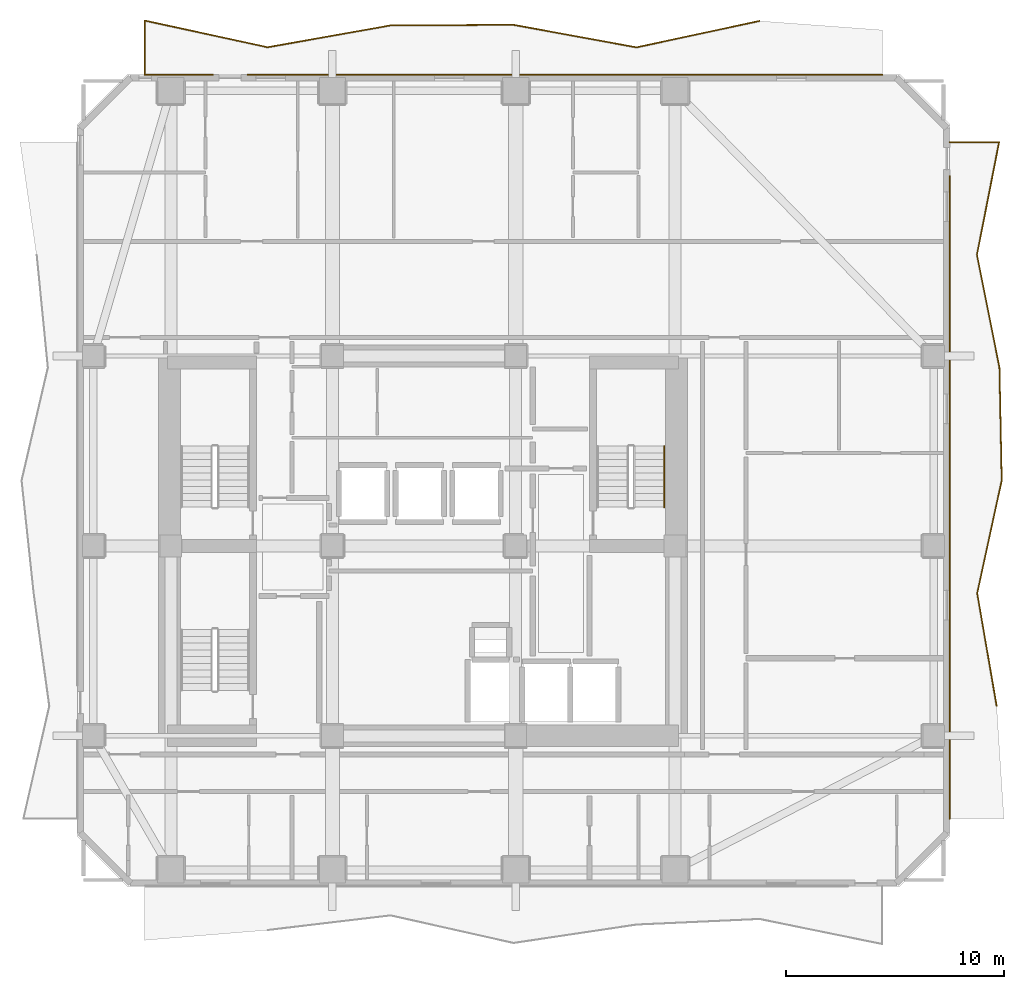
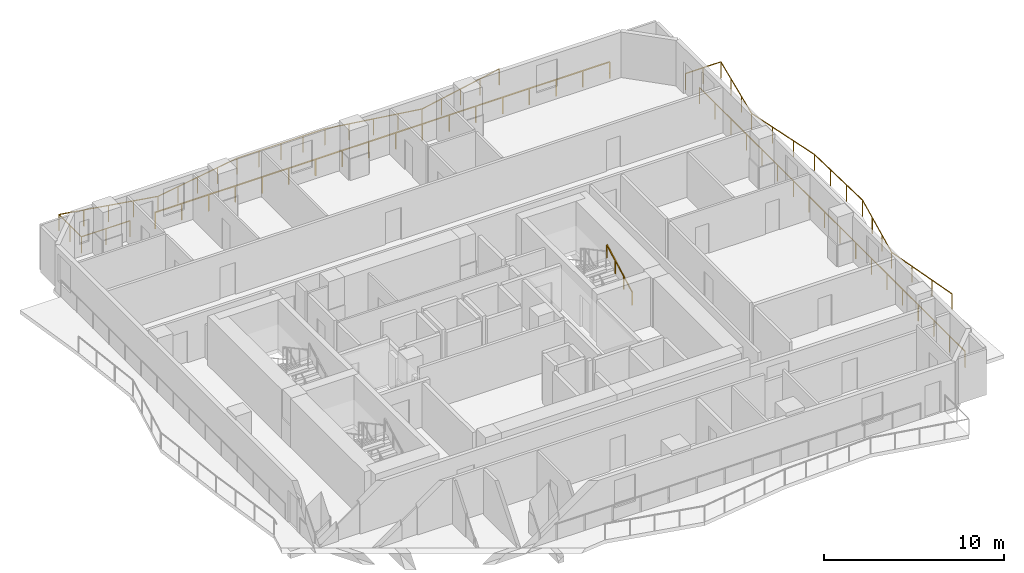
# One storey, part 9 of 9: 5 railings.
"""IFC4 building model written with IfcOpenShell, lengths in metres."""

from ifc_helpers import new_model, si_unit, direction, frame, origin, origin_2d, place, context, subcontext, project, spatial, rectangle, extrude, material, type_object, element, save


model = new_model("IFC4")

# Units and contexts
model_context = context("Model", 3, precision=1e-05, world=origin(), true_north=direction((0.0, 1.0)))
body_context = subcontext(model_context, "Body", "Model", "MODEL_VIEW")
ifc_project = project(units=[si_unit("LENGTHUNIT", "METRE"), si_unit("AREAUNIT", "SQUARE_METRE"), si_unit("VOLUMEUNIT", "CUBIC_METRE"), si_unit("PLANEANGLEUNIT", "RADIAN"), si_unit("MASSUNIT", "GRAM", prefix="KILO")], contexts=[model_context])

# Site, building, storey
site_placement = place(None, origin())
site = spatial("IfcSite", under=ifc_project, at=site_placement, CompositionType="ELEMENT")
building_placement = place(site_placement, origin())
building = spatial("IfcBuilding", under=site, at=building_placement, Name="Solanera Arch Residences", CompositionType="ELEMENT")
storey_placement = place(building_placement, frame((0.0, 0.0, 152.56005859375)))
storey = spatial("IfcBuildingStorey", under=building, at=storey_placement, Name="L44", CompositionType="ELEMENT", Elevation=152.56005859375)

# Railings
ifc_material_1 = material(Name="Steel S355 (ASTM A992 / A572 Grade 50)", Category="steel")
railing_type_1 = type_object("IfcRailingType", Name="Balustrade Railing BL-1100", PredefinedType="BALUSTRADE", material=ifc_material_1)
railing_1_placement = place(storey_placement, frame((40.366943359375, 54.7490234375, 0.0)))
element("IfcRailing", 1, at=railing_1_placement, inside=storey, type_object=railing_type_1, Name="L44 N Balcony Balustrade 1", PredefinedType="BALUSTRADE", context=body_context, shape_type="SweptSolid", body=[
    extrude(rectangle(XDim=0.048095703125, YDim=0.048095703125, at=origin_2d()), frame((0.0, 0.0, 1.09619140625), z_axis=(-0.977707452715, -0.209971752639, 0.0), x_axis=(0.209971752639, -0.977707452715, 0.0)), (0.0, 0.0, 1.0), 5.762451171875),
    extrude(rectangle(XDim=0.048095703125, YDim=0.048095703125, at=origin_2d()), frame((-5.634033203125, -1.2099609375, 1.09619140625), z_axis=(-0.983628227671, 0.180209627183, 0.0), x_axis=(-0.180209627183, -0.983628227671, 0.0)), (0.0, 0.0, 1.0), 5.7265625),
    extrude(rectangle(XDim=0.048095703125, YDim=0.048095703125, at=origin_2d()), frame((-11.266845703125, -0.177978515625, 1.09619140625), z_axis=(-0.999990036089, -0.004464047749, 0.0), x_axis=(0.004464047749, -0.999990036089, 0.0)), (0.0, 0.0, 1.0), 5.633056640625),
    extrude(rectangle(XDim=0.048095703125, YDim=0.048095703125, at=origin_2d()), frame((-16.89990234375, -0.203125, 1.09619140625), z_axis=(-0.98455204942, -0.175092152828, 0.0), x_axis=(0.175092152828, -0.98455204942, 0.0)), (0.0, 0.0, 1.0), 5.722412109375),
    extrude(rectangle(XDim=0.048095703125, YDim=0.048095703125, at=origin_2d()), frame((-22.533935546875, -1.205078125, 1.09619140625), z_axis=(-0.977192797329, 0.212354036571, 0.0), x_axis=(-0.212354036571, -0.977192797329, 0.0)), (0.0, 0.0, 1.0), 5.7646484375),
    extrude(rectangle(XDim=0.048095703125, YDim=0.048095703125, at=origin_2d()), frame((-28.1669921875, 0.01904296875, 1.09619140625), z_axis=(0.0, -1.0, 0.0), x_axis=(1.0, 0.0, 0.0)), (0.0, 0.0, 1.0), 2.488037109375),
    extrude(rectangle(XDim=0.048095703125, YDim=0.048095703125, at=origin_2d()), frame((-28.1669921875, -2.468994140625, 1.09619140625), z_axis=(1.0, 0.0, 0.0), x_axis=(0.0, 1.0, 0.0)), (0.0, 0.0, 1.0), 3.116943359375),
    extrude(rectangle(XDim=0.0419921875, YDim=0.0419921875, at=origin_2d()), origin(), (0.0, 0.0, 1.0), 1.072021484375),
    extrude(rectangle(XDim=0.0419921875, YDim=0.0419921875, at=origin_2d()), frame((-1.408447265625, -0.302490234375, 0.0)), (0.0, 0.0, 1.0), 1.072021484375),
    extrude(rectangle(XDim=0.0419921875, YDim=0.0419921875, at=origin_2d()), frame((-2.81689453125, -0.60498046875, 0.0)), (0.0, 0.0, 1.0), 1.072021484375),
    extrude(rectangle(XDim=0.0419921875, YDim=0.0419921875, at=origin_2d()), frame((-4.2255859375, -0.907470703125, 0.0)), (0.0, 0.0, 1.0), 1.072021484375),
    extrude(rectangle(XDim=0.0419921875, YDim=0.0419921875, at=origin_2d()), frame((-5.634033203125, -1.2099609375, 0.0)), (0.0, 0.0, 1.0), 1.072021484375),
    extrude(rectangle(XDim=0.0419921875, YDim=0.0419921875, at=origin_2d()), frame((-7.042236328125, -0.951904296875, 0.0)), (0.0, 0.0, 1.0), 1.072021484375),
    extrude(rectangle(XDim=0.0419921875, YDim=0.0419921875, at=origin_2d()), frame((-8.450439453125, -0.69384765625, 0.0)), (0.0, 0.0, 1.0), 1.072021484375),
    extrude(rectangle(XDim=0.0419921875, YDim=0.0419921875, at=origin_2d()), frame((-9.858642578125, -0.43603515625, 0.0)), (0.0, 0.0, 1.0), 1.072021484375),
    extrude(rectangle(XDim=0.0419921875, YDim=0.0419921875, at=origin_2d()), frame((-11.266845703125, -0.177978515625, 0.0)), (0.0, 0.0, 1.0), 1.072021484375),
    extrude(rectangle(XDim=0.0419921875, YDim=0.0419921875, at=origin_2d()), frame((-12.675048828125, -0.184326171875, 0.0)), (0.0, 0.0, 1.0), 1.072021484375),
    extrude(rectangle(XDim=0.0419921875, YDim=0.0419921875, at=origin_2d()), frame((-14.08349609375, -0.1904296875, 0.0)), (0.0, 0.0, 1.0), 1.072021484375),
    extrude(rectangle(XDim=0.0419921875, YDim=0.0419921875, at=origin_2d()), frame((-15.49169921875, -0.19677734375, 0.0)), (0.0, 0.0, 1.0), 1.072021484375),
    extrude(rectangle(XDim=0.0419921875, YDim=0.0419921875, at=origin_2d()), frame((-16.89990234375, -0.203125, 0.0)), (0.0, 0.0, 1.0), 1.072021484375),
    extrude(rectangle(XDim=0.0419921875, YDim=0.0419921875, at=origin_2d()), frame((-18.308349609375, -0.45361328125, 0.0)), (0.0, 0.0, 1.0), 1.072021484375),
    extrude(rectangle(XDim=0.0419921875, YDim=0.0419921875, at=origin_2d()), frame((-19.716796875, -0.7041015625, 0.0)), (0.0, 0.0, 1.0), 1.072021484375),
    extrude(rectangle(XDim=0.0419921875, YDim=0.0419921875, at=origin_2d()), frame((-21.12548828125, -0.95458984375, 0.0)), (0.0, 0.0, 1.0), 1.072021484375),
    extrude(rectangle(XDim=0.0419921875, YDim=0.0419921875, at=origin_2d()), frame((-22.533935546875, -1.205078125, 0.0)), (0.0, 0.0, 1.0), 1.072021484375),
    extrude(rectangle(XDim=0.0419921875, YDim=0.0419921875, at=origin_2d()), frame((-23.942138671875, -0.89892578125, 0.0)), (0.0, 0.0, 1.0), 1.072021484375),
    extrude(rectangle(XDim=0.0419921875, YDim=0.0419921875, at=origin_2d()), frame((-25.3505859375, -0.593017578125, 0.0)), (0.0, 0.0, 1.0), 1.072021484375),
    extrude(rectangle(XDim=0.0419921875, YDim=0.0419921875, at=origin_2d()), frame((-26.7587890625, -0.287109375, 0.0)), (0.0, 0.0, 1.0), 1.072021484375),
    extrude(rectangle(XDim=0.0419921875, YDim=0.0419921875, at=origin_2d()), frame((-28.1669921875, 0.01904296875, 0.0)), (0.0, 0.0, 1.0), 1.072021484375),
    extrude(rectangle(XDim=0.0419921875, YDim=0.0419921875, at=origin_2d()), frame((-28.1669921875, -1.22509765625, 0.0)), (0.0, 0.0, 1.0), 1.072021484375),
    extrude(rectangle(XDim=0.0419921875, YDim=0.0419921875, at=origin_2d()), frame((-28.1669921875, -2.468994140625, 0.0)), (0.0, 0.0, 1.0), 1.072021484375),
    extrude(rectangle(XDim=0.0419921875, YDim=0.0419921875, at=origin_2d()), frame((-26.6083984375, -2.468994140625, 0.0)), (0.0, 0.0, 1.0), 1.072021484375),
    extrude(rectangle(XDim=0.0419921875, YDim=0.0419921875, at=origin_2d()), frame((-25.050048828125, -2.468994140625, 0.0)), (0.0, 0.0, 1.0), 1.072021484375),
])
railing_2_placement = place(storey_placement, frame((16.9169921875, 52.280029296875, 0.0)))
element("IfcRailing", 2, at=railing_2_placement, inside=storey, type_object=railing_type_1, Name="L44 N Balcony Balustrade 2", PredefinedType="BALUSTRADE", context=body_context, shape_type="SweptSolid", body=[
    extrude(rectangle(XDim=0.048095703125, YDim=0.048095703125, at=origin_2d()), frame((0.0, 0.0, 1.09619140625), z_axis=(1.0, 0.0, 0.0), x_axis=(0.0, 1.0, 0.0)), (0.0, 0.0, 1.0), 29.0830078125),
    extrude(rectangle(XDim=0.0419921875, YDim=0.0419921875, at=origin_2d()), origin(), (0.0, 0.0, 1.0), 1.072021484375),
    extrude(rectangle(XDim=0.0419921875, YDim=0.0419921875, at=origin_2d()), frame((1.710693359375, 0.0, 0.0)), (0.0, 0.0, 1.0), 1.072021484375),
    extrude(rectangle(XDim=0.0419921875, YDim=0.0419921875, at=origin_2d()), frame((3.421630859375, 0.0, 0.0)), (0.0, 0.0, 1.0), 1.072021484375),
    extrude(rectangle(XDim=0.0419921875, YDim=0.0419921875, at=origin_2d()), frame((5.13232421875, 0.0, 0.0)), (0.0, 0.0, 1.0), 1.072021484375),
    extrude(rectangle(XDim=0.0419921875, YDim=0.0419921875, at=origin_2d()), frame((6.843017578125, 0.0, 0.0)), (0.0, 0.0, 1.0), 1.072021484375),
    extrude(rectangle(XDim=0.0419921875, YDim=0.0419921875, at=origin_2d()), frame((8.5537109375, 0.0, 0.0)), (0.0, 0.0, 1.0), 1.072021484375),
    extrude(rectangle(XDim=0.0419921875, YDim=0.0419921875, at=origin_2d()), frame((10.2646484375, 0.0, 0.0)), (0.0, 0.0, 1.0), 1.072021484375),
    extrude(rectangle(XDim=0.0419921875, YDim=0.0419921875, at=origin_2d()), frame((11.975341796875, 0.0, 0.0)), (0.0, 0.0, 1.0), 1.072021484375),
    extrude(rectangle(XDim=0.0419921875, YDim=0.0419921875, at=origin_2d()), frame((13.68603515625, 0.0, 0.0)), (0.0, 0.0, 1.0), 1.072021484375),
    extrude(rectangle(XDim=0.0419921875, YDim=0.0419921875, at=origin_2d()), frame((15.39697265625, 0.0, 0.0)), (0.0, 0.0, 1.0), 1.072021484375),
    extrude(rectangle(XDim=0.0419921875, YDim=0.0419921875, at=origin_2d()), frame((17.107666015625, 0.0, 0.0)), (0.0, 0.0, 1.0), 1.072021484375),
    extrude(rectangle(XDim=0.0419921875, YDim=0.0419921875, at=origin_2d()), frame((18.818359375, 0.0, 0.0)), (0.0, 0.0, 1.0), 1.072021484375),
    extrude(rectangle(XDim=0.0419921875, YDim=0.0419921875, at=origin_2d()), frame((20.529296875, 0.0, 0.0)), (0.0, 0.0, 1.0), 1.072021484375),
    extrude(rectangle(XDim=0.0419921875, YDim=0.0419921875, at=origin_2d()), frame((22.239990234375, 0.0, 0.0)), (0.0, 0.0, 1.0), 1.072021484375),
    extrude(rectangle(XDim=0.0419921875, YDim=0.0419921875, at=origin_2d()), frame((23.95068359375, 0.0, 0.0)), (0.0, 0.0, 1.0), 1.072021484375),
    extrude(rectangle(XDim=0.0419921875, YDim=0.0419921875, at=origin_2d()), frame((25.661376953125, 0.0, 0.0)), (0.0, 0.0, 1.0), 1.072021484375),
    extrude(rectangle(XDim=0.0419921875, YDim=0.0419921875, at=origin_2d()), frame((27.372314453125, 0.0, 0.0)), (0.0, 0.0, 1.0), 1.072021484375),
    extrude(rectangle(XDim=0.0419921875, YDim=0.0419921875, at=origin_2d()), frame((29.0830078125, 0.0, 0.0)), (0.0, 0.0, 1.0), 1.072021484375),
])
railing_3_placement = place(storey_placement, frame((51.23291015625, 23.366943359375, 0.0)))
element("IfcRailing", 3, at=railing_3_placement, inside=storey, type_object=railing_type_1, Name="L44 E Balcony Balustrade 1", PredefinedType="BALUSTRADE", context=body_context, shape_type="SweptSolid", body=[
    extrude(rectangle(XDim=0.048095703125, YDim=0.048095703125, at=origin_2d()), frame((0.0, 0.0, 1.09619140625), z_axis=(-0.169939667092, 0.985454468531, 0.0), x_axis=(-0.985454468531, -0.169939667092, 0.0)), (0.0, 0.0, 1.0), 5.2421875),
    extrude(rectangle(XDim=0.048095703125, YDim=0.048095703125, at=origin_2d()), frame((-0.890869140625, 5.166015625, 1.09619140625), z_axis=(0.212391306387, 0.977184697471, 0.0), x_axis=(-0.977184697471, 0.212391306387, 0.0)), (0.0, 0.0, 1.0), 5.28759765625),
    extrude(rectangle(XDim=0.048095703125, YDim=0.048095703125, at=origin_2d()), frame((0.232177734375, 10.3330078125, 1.09619140625), z_axis=(-0.0199355573, 0.99980126703, 0.0), x_axis=(-0.99980126703, -0.0199355573, 0.0)), (0.0, 0.0, 1.0), 5.16796875),
    extrude(rectangle(XDim=0.048095703125, YDim=0.048095703125, at=origin_2d()), frame((0.129150390625, 15.5, 1.09619140625), z_axis=(-0.195893325525, 0.980625211289, 0.0), x_axis=(-0.980625211289, -0.195893325525, 0.0)), (0.0, 0.0, 1.0), 5.26806640625),
    extrude(rectangle(XDim=0.048095703125, YDim=0.048095703125, at=origin_2d()), frame((-0.90283203125, 20.666015625, 1.09619140625), z_axis=(0.192914295772, 0.981215610601, 0.0), x_axis=(-0.981215610601, 0.192914295772, 0.0)), (0.0, 0.0, 1.0), 5.265869140625),
    extrude(rectangle(XDim=0.048095703125, YDim=0.048095703125, at=origin_2d()), frame((0.113037109375, 25.8330078125, 1.09619140625), z_axis=(-1.0, 0.0, 0.0), x_axis=(0.0, -1.0, 0.0)), (0.0, 0.0, 1.0), 2.265869140625),
    extrude(rectangle(XDim=0.0419921875, YDim=0.0419921875, at=origin_2d()), origin(), (0.0, 0.0, 1.0), 1.072021484375),
    extrude(rectangle(XDim=0.0419921875, YDim=0.0419921875, at=origin_2d()), frame((-0.296875, 1.721923828125, 0.0)), (0.0, 0.0, 1.0), 1.072021484375),
    extrude(rectangle(XDim=0.0419921875, YDim=0.0419921875, at=origin_2d()), frame((-0.593994140625, 3.444091796875, 0.0)), (0.0, 0.0, 1.0), 1.072021484375),
    extrude(rectangle(XDim=0.0419921875, YDim=0.0419921875, at=origin_2d()), frame((-0.890869140625, 5.166015625, 0.0)), (0.0, 0.0, 1.0), 1.072021484375),
    extrude(rectangle(XDim=0.0419921875, YDim=0.0419921875, at=origin_2d()), frame((-0.5166015625, 6.888427734375, 0.0)), (0.0, 0.0, 1.0), 1.072021484375),
    extrude(rectangle(XDim=0.0419921875, YDim=0.0419921875, at=origin_2d()), frame((-0.14208984375, 8.610595703125, 0.0)), (0.0, 0.0, 1.0), 1.072021484375),
    extrude(rectangle(XDim=0.0419921875, YDim=0.0419921875, at=origin_2d()), frame((0.232177734375, 10.3330078125, 0.0)), (0.0, 0.0, 1.0), 1.072021484375),
    extrude(rectangle(XDim=0.0419921875, YDim=0.0419921875, at=origin_2d()), frame((0.19775390625, 12.055419921875, 0.0)), (0.0, 0.0, 1.0), 1.072021484375),
    extrude(rectangle(XDim=0.0419921875, YDim=0.0419921875, at=origin_2d()), frame((0.16357421875, 13.777587890625, 0.0)), (0.0, 0.0, 1.0), 1.072021484375),
    extrude(rectangle(XDim=0.0419921875, YDim=0.0419921875, at=origin_2d()), frame((0.129150390625, 15.5, 0.0)), (0.0, 0.0, 1.0), 1.072021484375),
    extrude(rectangle(XDim=0.0419921875, YDim=0.0419921875, at=origin_2d()), frame((-0.21484375, 17.221923828125, 0.0)), (0.0, 0.0, 1.0), 1.072021484375),
    extrude(rectangle(XDim=0.0419921875, YDim=0.0419921875, at=origin_2d()), frame((-0.558837890625, 18.944091796875, 0.0)), (0.0, 0.0, 1.0), 1.072021484375),
    extrude(rectangle(XDim=0.0419921875, YDim=0.0419921875, at=origin_2d()), frame((-0.90283203125, 20.666015625, 0.0)), (0.0, 0.0, 1.0), 1.072021484375),
    extrude(rectangle(XDim=0.0419921875, YDim=0.0419921875, at=origin_2d()), frame((-0.564208984375, 22.388427734375, 0.0)), (0.0, 0.0, 1.0), 1.072021484375),
    extrude(rectangle(XDim=0.0419921875, YDim=0.0419921875, at=origin_2d()), frame((-0.2255859375, 24.110595703125, 0.0)), (0.0, 0.0, 1.0), 1.072021484375),
    extrude(rectangle(XDim=0.0419921875, YDim=0.0419921875, at=origin_2d()), frame((0.113037109375, 25.8330078125, 0.0)), (0.0, 0.0, 1.0), 1.072021484375),
    extrude(rectangle(XDim=0.0419921875, YDim=0.0419921875, at=origin_2d()), frame((-1.02001953125, 25.8330078125, 0.0)), (0.0, 0.0, 1.0), 1.072021484375),
    extrude(rectangle(XDim=0.0419921875, YDim=0.0419921875, at=origin_2d()), frame((-2.15283203125, 25.8330078125, 0.0)), (0.0, 0.0, 1.0), 1.072021484375),
])
railing_4_placement = place(storey_placement, frame((49.080078125, 47.64111328125, 0.0)))
element("IfcRailing", 4, at=railing_4_placement, inside=storey, type_object=railing_type_1, Name="L44 E Balcony Balustrade 2", PredefinedType="BALUSTRADE", context=body_context, shape_type="SweptSolid", body=[
    extrude(rectangle(XDim=0.048095703125, YDim=0.048095703125, at=origin_2d()), frame((0.0, 0.0, 1.09619140625), z_axis=(0.0, -1.0, 0.0), x_axis=(1.0, 0.0, 0.0)), (0.0, 0.0, 1.0), 29.441162109375),
    extrude(rectangle(XDim=0.0419921875, YDim=0.0419921875, at=origin_2d()), origin(), (0.0, 0.0, 1.0), 1.072021484375),
    extrude(rectangle(XDim=0.0419921875, YDim=0.0419921875, at=origin_2d()), frame((0.0, -1.73193359375, 0.0)), (0.0, 0.0, 1.0), 1.072021484375),
    extrude(rectangle(XDim=0.0419921875, YDim=0.0419921875, at=origin_2d()), frame((0.0, -3.463623046875, 0.0)), (0.0, 0.0, 1.0), 1.072021484375),
    extrude(rectangle(XDim=0.0419921875, YDim=0.0419921875, at=origin_2d()), frame((0.0, -5.195556640625, 0.0)), (0.0, 0.0, 1.0), 1.072021484375),
    extrude(rectangle(XDim=0.0419921875, YDim=0.0419921875, at=origin_2d()), frame((0.0, -6.92724609375, 0.0)), (0.0, 0.0, 1.0), 1.072021484375),
    extrude(rectangle(XDim=0.0419921875, YDim=0.0419921875, at=origin_2d()), frame((0.0, -8.6591796875, 0.0)), (0.0, 0.0, 1.0), 1.072021484375),
    extrude(rectangle(XDim=0.0419921875, YDim=0.0419921875, at=origin_2d()), frame((0.0, -10.39111328125, 0.0)), (0.0, 0.0, 1.0), 1.072021484375),
    extrude(rectangle(XDim=0.0419921875, YDim=0.0419921875, at=origin_2d()), frame((0.0, -12.122802734375, 0.0)), (0.0, 0.0, 1.0), 1.072021484375),
    extrude(rectangle(XDim=0.0419921875, YDim=0.0419921875, at=origin_2d()), frame((0.0, -13.854736328125, 0.0)), (0.0, 0.0, 1.0), 1.072021484375),
    extrude(rectangle(XDim=0.0419921875, YDim=0.0419921875, at=origin_2d()), frame((0.0, -15.58642578125, 0.0)), (0.0, 0.0, 1.0), 1.072021484375),
    extrude(rectangle(XDim=0.0419921875, YDim=0.0419921875, at=origin_2d()), frame((0.0, -17.318359375, 0.0)), (0.0, 0.0, 1.0), 1.072021484375),
    extrude(rectangle(XDim=0.0419921875, YDim=0.0419921875, at=origin_2d()), frame((0.0, -19.050048828125, 0.0)), (0.0, 0.0, 1.0), 1.072021484375),
    extrude(rectangle(XDim=0.0419921875, YDim=0.0419921875, at=origin_2d()), frame((0.0, -20.781982421875, 0.0)), (0.0, 0.0, 1.0), 1.072021484375),
    extrude(rectangle(XDim=0.0419921875, YDim=0.0419921875, at=origin_2d()), frame((0.0, -22.513916015625, 0.0)), (0.0, 0.0, 1.0), 1.072021484375),
    extrude(rectangle(XDim=0.0419921875, YDim=0.0419921875, at=origin_2d()), frame((0.0, -24.24560546875, 0.0)), (0.0, 0.0, 1.0), 1.072021484375),
    extrude(rectangle(XDim=0.0419921875, YDim=0.0419921875, at=origin_2d()), frame((0.0, -25.9775390625, 0.0)), (0.0, 0.0, 1.0), 1.072021484375),
    extrude(rectangle(XDim=0.0419921875, YDim=0.0419921875, at=origin_2d()), frame((0.0, -27.709228515625, 0.0)), (0.0, 0.0, 1.0), 1.072021484375),
    extrude(rectangle(XDim=0.0419921875, YDim=0.0419921875, at=origin_2d()), frame((0.0, -29.441162109375, 0.0)), (0.0, 0.0, 1.0), 1.072021484375),
])
ifc_material_2 = material(Name="Steel S355 (ASTM A992 / A572 Grade 50)", Category="steel")
railing_type_2 = type_object("IfcRailingType", Name="Stair Wall Handrail HR-920", PredefinedType="HANDRAIL", material=ifc_material_2)
railing_5_placement = place(storey_placement, frame((36.010009765625, 32.47998046875, 0.166015625)))
element("IfcRailing", 5, at=railing_5_placement, inside=storey, type_object=railing_type_2, Name="L44 ST-T2 stair handrail 1", PredefinedType="HANDRAIL", context=body_context, shape_type="SweptSolid", body=[
    extrude(rectangle(XDim=0.048095703125, YDim=0.048095703125, at=origin_2d()), frame((0.0, 0.0, 0.8759765625), z_axis=(0.0, 0.881580869306, 0.472033018838), x_axis=(-1.0, 0.0, 0.0)), (0.0, 0.0, 1.0), 3.164794921875),
    extrude(rectangle(XDim=0.0419921875, YDim=0.0419921875, at=origin_2d()), origin(), (0.0, 0.0, 1.0), 0.851806640625),
    extrude(rectangle(XDim=0.0419921875, YDim=0.0419921875, at=origin_2d()), frame((0.0, 0.929931640625, 0.498046875)), (0.0, 0.0, 1.0), 0.851806640625),
    extrude(rectangle(XDim=0.0419921875, YDim=0.0419921875, at=origin_2d()), frame((0.0, 1.860107421875, 0.995849609375)), (0.0, 0.0, 1.0), 0.851806640625),
    extrude(rectangle(XDim=0.0419921875, YDim=0.0419921875, at=origin_2d()), frame((0.0, 2.7900390625, 1.493896484375)), (0.0, 0.0, 1.0), 0.851806640625),
])

save(model, "model.ifc")
